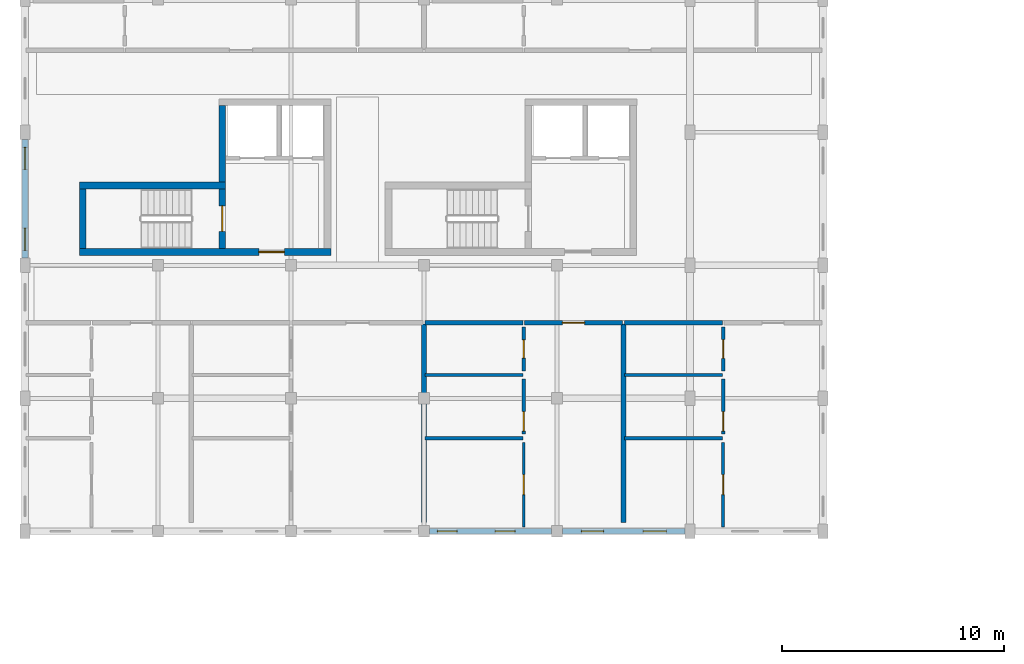
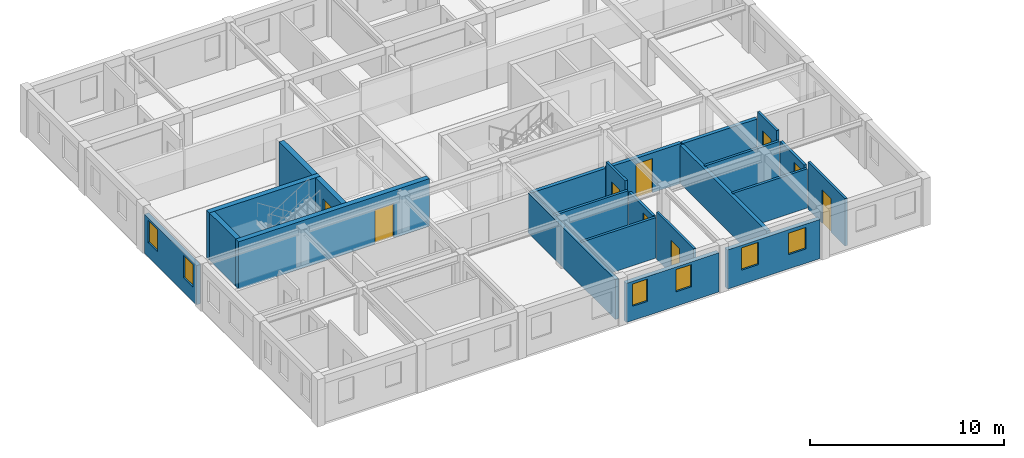
# One storey, part 5 of 23: 23 walls, 9 doors, 6 windows, 15 openings.
"""IFC4 building model written with IfcOpenShell, lengths in metres."""

from ifc_helpers import new_model, si_unit, direction, frame, frame_2d, origin, place, context, subcontext, project, spatial, rectangle, extrude, material, layer, layer_set, type_object, element, fill, save


model = new_model("IFC4")

# Units and contexts
model_context = context("Model", 3, precision=1e-05, world=origin(), true_north=direction((0.0, 1.0)))
body_context = subcontext(model_context, "Body", "Model", "MODEL_VIEW")
ifc_project = project(units=[si_unit("LENGTHUNIT", "METRE"), si_unit("AREAUNIT", "SQUARE_METRE"), si_unit("VOLUMEUNIT", "CUBIC_METRE"), si_unit("PLANEANGLEUNIT", "RADIAN"), si_unit("MASSUNIT", "GRAM", prefix="KILO"), si_unit("POWERUNIT", "WATT"), si_unit("THERMODYNAMICTEMPERATUREUNIT", "KELVIN")], contexts=[model_context])

# Site, building, storey
site_placement = place(None, origin())
site = spatial("IfcSite", under=ifc_project, at=site_placement, CompositionType="ELEMENT")
building_placement = place(site_placement, origin())
building = spatial("IfcBuilding", under=site, at=building_placement, Name="Ruvembo Vaulted Housing Court", CompositionType="ELEMENT")
storey_placement = place(building_placement, frame((0.0, 0.0, 26.89990234375)))
storey = spatial("IfcBuildingStorey", under=building, at=storey_placement, Name="L08", CompositionType="ELEMENT", Elevation=26.89990234375)

# Wall, opening, door
ifc_material_1 = material(Name="Concrete C35/45", Category="concrete")
ifc_layer_1 = layer(ifc_material_1, 0.300048828125, Name="Concrete C35/45")
ifc_layer_set_1 = layer_set([ifc_layer_1], Name="Concrete C35/45")
wall_type_1 = type_object("IfcWallType", Name="WL-CORE-300", PredefinedType="SHEAR", material=ifc_layer_set_1)
wall_1_placement = place(storey_placement, frame((2.449951171875, 18.60009765625, 0.0), z_axis=(0.0, 0.0, 1.0), x_axis=(1.0, 0.0, 0.0)))
wall_1 = element("IfcWall", 1, at=wall_1_placement, inside=storey, type_object=wall_type_1, Name="Core A1 L08 South Shear Wall", PredefinedType="SHEAR", context=body_context, shape_type="SweptSolid", body=[
    extrude(rectangle(XDim=11.35009765625, YDim=0.300048828125, at=frame_2d((5.675048828125, 0.0))), origin(), (0.0, 0.0, 1.0), 2.97998046875),
])
opening_1_placement = place(wall_1_placement, frame((8.10009765625, 0.0, 0.0)))
opening_1 = element("IfcOpeningElement", 2, at=opening_1_placement, cuts=wall_1, Name="Opening LD0", PredefinedType="OPENING", context=body_context, shape_type="SweptSolid", body=[
    extrude(rectangle(XDim=1.14990234375, YDim=2.14990234375, at=frame_2d((0.574951171875, 1.074951171875))), frame((0.0, 0.159912109375, 0.0), z_axis=(0.0, -1.0, 0.0), x_axis=(1.0, 0.0, 0.0)), (0.0, 0.0, 1.0), 0.320068359375),
])
ifc_material_2 = material(Name="Galvanised Painted Steel", Category="steel")
door_type_1 = type_object("IfcDoorType", Name="DR-LOB-1150x2150", OperationType="NOTDEFINED", PredefinedType="DOOR", material=ifc_material_2)
door_1_placement = place(opening_1_placement, origin())
door_1 = element("IfcDoor", 3, at=door_1_placement, inside=storey, type_object=door_type_1, Name="Core A1 L08 Lobby Fire Door", OperationType="SINGLE_SWING_RIGHT", OverallHeight=2.14990234375, OverallWidth=1.14990234375, PredefinedType="DOOR", context=body_context, shape_type="SweptSolid", body=[
    extrude(rectangle(XDim=1.14990234375, YDim=2.14990234375, at=frame_2d((0.574951171875, 1.074951171875))), frame((0.0, 0.02490234375, 0.0), z_axis=(0.0, -1.0, 0.0), x_axis=(1.0, 0.0, 0.0)), (0.0, 0.0, 1.0), 0.050048828125),
])
fill(opening_1, door_1)

# Walls
wall_2_placement = place(storey_placement, frame((9.050048828125, 21.60009765625, 0.0), z_axis=(0.0, 0.0, 1.0), x_axis=(-1.0, 0.0, 0.0)))
element("IfcWall", 4, at=wall_2_placement, inside=storey, type_object=wall_type_1, Name="Core A1 L08 Stair North Shear Wall", PredefinedType="SHEAR", context=body_context, shape_type="SweptSolid", body=[
    extrude(rectangle(XDim=6.60009765625, YDim=0.300048828125, at=frame_2d((3.300048828125, 0.0))), origin(), (0.0, 0.0, 1.0), 2.97998046875),
])
wall_3_placement = place(storey_placement, frame((2.60009765625, 21.449951171875, 0.0), z_axis=(0.0, 0.0, 1.0), x_axis=(0.0, -1.0, 0.0)))
element("IfcWall", 5, at=wall_3_placement, inside=storey, type_object=wall_type_1, Name="Core A1 L08 Stair West Shear Wall", PredefinedType="SHEAR", context=body_context, shape_type="SweptSolid", body=[
    extrude(rectangle(XDim=2.699951171875, YDim=0.300048828125, at=frame_2d((1.35009765625, 0.0))), origin(), (0.0, 0.0, 1.0), 2.97998046875),
])

# Wall, opening, door
wall_4_placement = place(storey_placement, frame((8.89990234375, 18.75, 0.0), z_axis=(0.0, 0.0, 1.0), x_axis=(0.0, 1.0, 0.0)))
wall_4 = element("IfcWall", 6, at=wall_4_placement, inside=storey, type_object=wall_type_1, Name="Core A1 L08 Stair-Lobby Shear Wall", PredefinedType="SHEAR", context=body_context, shape_type="SweptSolid", body=[
    extrude(rectangle(XDim=2.699951171875, YDim=0.300048828125, at=frame_2d((1.35009765625, 0.0))), origin(), (0.0, 0.0, 1.0), 2.97998046875),
])
opening_2_placement = place(wall_4_placement, frame((0.77490234375, 0.0, 0.0)))
opening_2 = element("IfcOpeningElement", 7, at=opening_2_placement, cuts=wall_4, Name="Opening SD1", PredefinedType="OPENING", context=body_context, shape_type="SweptSolid", body=[
    extrude(rectangle(XDim=1.14990234375, YDim=2.14990234375, at=frame_2d((0.574951171875, 1.074951171875))), frame((0.0, 0.159912109375, 0.0), z_axis=(0.0, -1.0, 0.0), x_axis=(1.0, 0.0, 0.0)), (0.0, 0.0, 1.0), 0.320068359375),
])
door_type_2 = type_object("IfcDoorType", Name="DR-STAIR-1150x2150", OperationType="NOTDEFINED", PredefinedType="DOOR", material=ifc_material_2)
door_2_placement = place(opening_2_placement, origin())
door_2 = element("IfcDoor", 8, at=door_2_placement, inside=storey, type_object=door_type_2, Name="Stair ST-A1 L08 Fire Door", OperationType="SINGLE_SWING_LEFT", OverallHeight=2.14990234375, OverallWidth=1.14990234375, PredefinedType="DOOR", context=body_context, shape_type="SweptSolid", body=[
    extrude(rectangle(XDim=1.14990234375, YDim=2.14990234375, at=frame_2d((0.574951171875, 1.074951171875))), frame((0.0, 0.02490234375, 0.0), z_axis=(0.0, -1.0, 0.0), x_axis=(1.0, 0.0, 0.0)), (0.0, 0.0, 1.0), 0.050048828125),
])
fill(opening_2, door_2)

# Walls
wall_5_placement = place(storey_placement, frame((8.89990234375, 21.75, 0.0), z_axis=(0.0, 0.0, 1.0), x_axis=(0.0, 1.0, 0.0)))
element("IfcWall", 9, at=wall_5_placement, inside=storey, type_object=wall_type_1, Name="Core A1 L08 Upper West Shear Wall", PredefinedType="SHEAR", context=body_context, shape_type="SweptSolid", body=[
    extrude(rectangle(XDim=3.449951171875, YDim=0.300048828125, at=frame_2d((1.72509765625, 0.0))), origin(), (0.0, 0.0, 1.0), 2.97998046875),
])
ifc_material_3 = material(Name="Concrete Blockwork 210", Category="masonry")
ifc_layer_2 = layer(ifc_material_3, 0.2099609375, Name="Concrete Blockwork 210")
ifc_layer_set_2 = layer_set([ifc_layer_2], Name="Concrete Blockwork 210")
wall_type_2 = type_object("IfcWallType", Name="WL-CORR-210", PredefinedType="SOLIDWALL", material=ifc_layer_set_2)
wall_6_placement = place(storey_placement, frame((18.0400390625, 15.39990234375, 0.0), z_axis=(0.0, 0.0, 1.0), x_axis=(1.0, 0.0, 0.0)))
element("IfcWall", 10, at=wall_6_placement, inside=storey, type_object=wall_type_2, Name="L08 Flat A-L08-S3 Corridor Wall WL-INT-L08-02034", PredefinedType="SOLIDWALL", context=body_context, shape_type="SweptSolid", body=[
    extrude(rectangle(XDim=4.419921875, YDim=0.2099609375, at=frame_2d((2.2099609375, 0.0))), origin(), (0.0, 0.0, 1.0), 2.508056640625),
])

# Wall, opening, door
wall_7_placement = place(storey_placement, frame((22.5400390625, 15.39990234375, 0.0), z_axis=(0.0, 0.0, 1.0), x_axis=(1.0, 0.0, 0.0)))
wall_7 = element("IfcWall", 11, at=wall_7_placement, inside=storey, type_object=wall_type_2, Name="L08 Flat A-L08-S3 Entrance WL-INT-L08-02035", PredefinedType="SOLIDWALL", context=body_context, shape_type="SweptSolid", body=[
    extrude(rectangle(XDim=4.419921875, YDim=0.2099609375, at=frame_2d((2.2099609375, 0.0))), origin(), (0.0, 0.0, 1.0), 2.508056640625),
])
opening_3_placement = place(wall_7_placement, frame((1.7099609375, 0.0, 0.0)))
opening_3 = element("IfcOpeningElement", 12, at=opening_3_placement, cuts=wall_7, Name="Opening FD1", PredefinedType="OPENING", context=body_context, shape_type="SweptSolid", body=[
    extrude(rectangle(XDim=1.0, YDim=2.14990234375, at=frame_2d((0.5, 1.074951171875))), frame((0.0, 0.114990234375, 0.0), z_axis=(0.0, -1.0, 0.0), x_axis=(1.0, 0.0, 0.0)), (0.0, 0.0, 1.0), 0.22998046875),
])
ifc_material_4 = material(Name="FSC Hardwood and Engineered Timber", Category="wood")
door_type_3 = type_object("IfcDoorType", Name="DR-FLAT-1000x2150", OperationType="NOTDEFINED", PredefinedType="DOOR", material=ifc_material_4)
door_3_placement = place(opening_3_placement, origin())
door_3 = element("IfcDoor", 13, at=door_3_placement, inside=storey, type_object=door_type_3, Name="L08 Flat A-L08-S3 Entrance Door DR-INT-L08-01137", OperationType="SINGLE_SWING_LEFT", OverallHeight=2.14990234375, OverallWidth=1.0, PredefinedType="DOOR", context=body_context, shape_type="SweptSolid", body=[
    extrude(rectangle(XDim=1.0, YDim=2.14990234375, at=frame_2d((0.5, 1.074951171875))), frame((0.0, 0.02490234375, 0.0), z_axis=(0.0, -1.0, 0.0), x_axis=(1.0, 0.0, 0.0)), (0.0, 0.0, 1.0), 0.050048828125),
])
fill(opening_3, door_3)

# Walls
wall_8_placement = place(storey_placement, frame((27.0400390625, 15.39990234375, 0.0), z_axis=(0.0, 0.0, 1.0), x_axis=(1.0, 0.0, 0.0)))
element("IfcWall", 14, at=wall_8_placement, inside=storey, type_object=wall_type_2, Name="L08 Flat A-L08-S4 Corridor Wall WL-INT-L08-02041", PredefinedType="SOLIDWALL", context=body_context, shape_type="SweptSolid", body=[
    extrude(rectangle(XDim=4.419921875, YDim=0.2099609375, at=frame_2d((2.2099609375, 0.0))), origin(), (0.0, 0.0, 1.0), 2.462158203125),
])
ifc_material_5 = material(Name="Acoustic Masonry Demising 220", Category="masonry")
ifc_layer_3 = layer(ifc_material_5, 0.219970703125, Name="Acoustic Masonry Demising 220")
ifc_layer_set_3 = layer_set([ifc_layer_3], Name="Acoustic Masonry Demising 220")
wall_type_3 = type_object("IfcWallType", Name="WL-DEM-200", PredefinedType="SOLIDWALL", material=ifc_layer_set_3)
wall_9_placement = place(storey_placement, frame((18.0, 6.389892578125, 0.0), z_axis=(0.0, 0.0, 1.0), x_axis=(0.0, 1.0, 0.0)))
element("IfcWall", 15, at=wall_9_placement, inside=storey, type_object=wall_type_3, Name="L08 Demising A-L08-S2 WL-INT-L08-02025", PredefinedType="SOLIDWALL", context=body_context, shape_type="SweptSolid", body=[
    extrude(rectangle(XDim=8.97021484375, YDim=0.219970703125, at=frame_2d((4.485107421875, 0.0))), origin(), (0.0, 0.0, 1.0), 2.508056640625),
])
wall_10_placement = place(storey_placement, frame((27.0, 6.389892578125, 0.0), z_axis=(0.0, 0.0, 1.0), x_axis=(0.0, 1.0, 0.0)))
element("IfcWall", 16, at=wall_10_placement, inside=storey, type_object=wall_type_3, Name="L08 Demising A-L08-S3 WL-INT-L08-02033", PredefinedType="SOLIDWALL", context=body_context, shape_type="SweptSolid", body=[
    extrude(rectangle(XDim=8.97021484375, YDim=0.219970703125, at=frame_2d((4.485107421875, 0.0))), origin(), (0.0, 0.0, 1.0), 2.408203125),
])

# Wall, openings, windows
ifc_material_6 = material(Name="Rendered Masonry 260", Category="masonry")
ifc_layer_4 = layer(ifc_material_6, 0.260009765625, Name="Rendered Masonry 260")
ifc_layer_set_4 = layer_set([ifc_layer_4], Name="Rendered Masonry 260")
wall_type_4 = type_object("IfcWallType", Name="WL-EXT-260", PredefinedType="STANDARD", material=ifc_layer_set_4)
wall_11_placement = place(storey_placement, frame((18.25, 6.0, 0.0), z_axis=(0.0, 0.0, 1.0), x_axis=(1.0, 0.0, 0.0)))
wall_11 = element("IfcWall", 17, at=wall_11_placement, inside=storey, type_object=wall_type_4, Name="Block A L08 Exterior Wall STREET #4", PredefinedType="STANDARD", context=body_context, shape_type="SweptSolid", body=[
    extrude(rectangle(XDim=5.5, YDim=0.260009765625, at=frame_2d((2.75, 0.0))), origin(), (0.0, 0.0, 1.0), 2.462158203125),
])
opening_4_placement = place(wall_11_placement, frame((0.35009765625, 0.0, 0.89990234375)))
opening_4 = element("IfcOpeningElement", 18, at=opening_4_placement, cuts=wall_11, Name="Opening W05", PredefinedType="OPENING", context=body_context, shape_type="SweptSolid", body=[
    extrude(rectangle(XDim=0.89990234375, YDim=1.39990234375, at=frame_2d((0.449951171875, 0.699951171875))), frame((0.0, 0.139892578125, 0.0), z_axis=(0.0, -1.0, 0.0), x_axis=(1.0, 0.0, 0.0)), (0.0, 0.0, 1.0), 0.280029296875),
])
opening_5_placement = place(wall_11_placement, frame((2.9599609375, 0.0, 0.89990234375)))
opening_5 = element("IfcOpeningElement", 19, at=opening_5_placement, cuts=wall_11, Name="Opening W05", PredefinedType="OPENING", context=body_context, shape_type="SweptSolid", body=[
    extrude(rectangle(XDim=0.89990234375, YDim=1.39990234375, at=frame_2d((0.449951171875, 0.699951171875))), frame((0.0, 0.139892578125, 0.0), z_axis=(0.0, -1.0, 0.0), x_axis=(1.0, 0.0, 0.0)), (0.0, 0.0, 1.0), 0.280029296875),
])
ifc_material_7 = material(Name="Double Solar-Control Glazing in Aluminium Frame", Category="aluminium")
window_type_1 = type_object("IfcWindowType", Name="WIN-0900x1400", PartitioningType="SINGLE_PANEL", PredefinedType="WINDOW", material=ifc_material_7)
window_1_placement = place(opening_4_placement, origin())
window_1 = element("IfcWindow", 20, at=window_1_placement, inside=storey, type_object=window_type_1, Name="Block A L08 Window #348", OverallHeight=1.39990234375, OverallWidth=0.89990234375, PartitioningType="SINGLE_PANEL", PredefinedType="WINDOW", context=body_context, shape_type="SweptSolid", body=[
    extrude(rectangle(XDim=0.89990234375, YDim=1.39990234375, at=frame_2d((0.449951171875, 0.699951171875))), frame((0.0, 0.030029296875, 0.0), z_axis=(0.0, -1.0, 0.0), x_axis=(1.0, 0.0, 0.0)), (0.0, 0.0, 1.0), 0.06005859375),
])
fill(opening_4, window_1)
window_2_placement = place(opening_5_placement, origin())
window_2 = element("IfcWindow", 21, at=window_2_placement, inside=storey, type_object=window_type_1, Name="Block A L08 Window #349", OverallHeight=1.39990234375, OverallWidth=0.89990234375, PartitioningType="SINGLE_PANEL", PredefinedType="WINDOW", context=body_context, shape_type="SweptSolid", body=[
    extrude(rectangle(XDim=0.89990234375, YDim=1.39990234375, at=frame_2d((0.449951171875, 0.699951171875))), frame((0.0, 0.030029296875, 0.0), z_axis=(0.0, -1.0, 0.0), x_axis=(1.0, 0.0, 0.0)), (0.0, 0.0, 1.0), 0.06005859375),
])
fill(opening_5, window_2)

wall_12_placement = place(storey_placement, frame((24.25, 6.0, 0.0), z_axis=(0.0, 0.0, 1.0), x_axis=(1.0, 0.0, 0.0)))
wall_12 = element("IfcWall", 22, at=wall_12_placement, inside=storey, type_object=wall_type_4, Name="Block A L08 Exterior Wall STREET #5", PredefinedType="STANDARD", context=body_context, shape_type="SweptSolid", body=[
    extrude(rectangle(XDim=5.52490234375, YDim=0.260009765625, at=frame_2d((2.762451171875, 0.0))), origin(), (0.0, 0.0, 1.0), 2.462158203125),
])
opening_6_placement = place(wall_12_placement, frame((0.85498046875, 0.0, 0.89990234375)))
opening_6 = element("IfcOpeningElement", 23, at=opening_6_placement, cuts=wall_12, Name="Opening W08", PredefinedType="OPENING", context=body_context, shape_type="SweptSolid", body=[
    extrude(rectangle(XDim=1.0, YDim=1.39990234375, at=frame_2d((0.5, 0.699951171875))), frame((0.0, 0.139892578125, 0.0), z_axis=(0.0, -1.0, 0.0), x_axis=(1.0, 0.0, 0.0)), (0.0, 0.0, 1.0), 0.280029296875),
])
opening_7_placement = place(wall_12_placement, frame((3.632568359375, 0.0, 0.89990234375)))
opening_7 = element("IfcOpeningElement", 24, at=opening_7_placement, cuts=wall_12, Name="Opening W09", PredefinedType="OPENING", context=body_context, shape_type="SweptSolid", body=[
    extrude(rectangle(XDim=1.050048828125, YDim=1.35009765625, at=frame_2d((0.52490234375, 0.675048828125))), frame((0.0, 0.139892578125, 0.0), z_axis=(0.0, -1.0, 0.0), x_axis=(1.0, 0.0, 0.0)), (0.0, 0.0, 1.0), 0.280029296875),
])
window_type_2 = type_object("IfcWindowType", Name="WIN-1000x1400", PartitioningType="SINGLE_PANEL", PredefinedType="WINDOW", material=ifc_material_7)
window_3_placement = place(opening_6_placement, origin())
window_3 = element("IfcWindow", 25, at=window_3_placement, inside=storey, type_object=window_type_2, Name="Block A L08 Window #350", OverallHeight=1.39990234375, OverallWidth=1.0, PartitioningType="SINGLE_PANEL", PredefinedType="WINDOW", context=body_context, shape_type="SweptSolid", body=[
    extrude(rectangle(XDim=1.0, YDim=1.39990234375, at=frame_2d((0.5, 0.699951171875))), frame((0.0, 0.030029296875, 0.0), z_axis=(0.0, -1.0, 0.0), x_axis=(1.0, 0.0, 0.0)), (0.0, 0.0, 1.0), 0.06005859375),
])
fill(opening_6, window_3)
window_type_3 = type_object("IfcWindowType", Name="WIN-1050x1350", PartitioningType="SINGLE_PANEL", PredefinedType="WINDOW", material=ifc_material_7)
window_4_placement = place(opening_7_placement, origin())
window_4 = element("IfcWindow", 26, at=window_4_placement, inside=storey, type_object=window_type_3, Name="Block A L08 Window #351", OverallHeight=1.35009765625, OverallWidth=1.050048828125, PartitioningType="SINGLE_PANEL", PredefinedType="WINDOW", context=body_context, shape_type="SweptSolid", body=[
    extrude(rectangle(XDim=1.050048828125, YDim=1.35009765625, at=frame_2d((0.52490234375, 0.675048828125))), frame((0.0, 0.030029296875, 0.0), z_axis=(0.0, -1.0, 0.0), x_axis=(1.0, 0.0, 0.0)), (0.0, 0.0, 1.0), 0.06005859375),
])
fill(opening_7, window_4)

wall_13_placement = place(storey_placement, frame((0.0, 23.675048828125, 0.0), z_axis=(0.0, 0.0, 1.0), x_axis=(0.0, -1.0, 0.0)))
wall_13 = element("IfcWall", 27, at=wall_13_placement, inside=storey, type_object=wall_type_4, Name="Block A L08 Exterior Wall WEST #3", PredefinedType="STANDARD", context=body_context, shape_type="SweptSolid", body=[
    extrude(rectangle(XDim=5.35009765625, YDim=0.260009765625, at=frame_2d((2.675048828125, 0.0))), origin(), (0.0, 0.0, 1.0), 2.462158203125),
])
opening_8_placement = place(wall_13_placement, frame((0.35009765625, 0.0, 0.89990234375)))
opening_8 = element("IfcOpeningElement", 28, at=opening_8_placement, cuts=wall_13, Name="Opening W08", PredefinedType="OPENING", context=body_context, shape_type="SweptSolid", body=[
    extrude(rectangle(XDim=1.0, YDim=1.39990234375, at=frame_2d((0.5, 0.699951171875))), frame((0.0, 0.139892578125, 0.0), z_axis=(0.0, -1.0, 0.0), x_axis=(1.0, 0.0, 0.0)), (0.0, 0.0, 1.0), 0.280029296875),
])
opening_9_placement = place(wall_13_placement, frame((4.0, 0.0, 0.89990234375)))
opening_9 = element("IfcOpeningElement", 29, at=opening_9_placement, cuts=wall_13, Name="Opening W08", PredefinedType="OPENING", context=body_context, shape_type="SweptSolid", body=[
    extrude(rectangle(XDim=1.0, YDim=1.39990234375, at=frame_2d((0.5, 0.699951171875))), frame((0.0, 0.139892578125, 0.0), z_axis=(0.0, -1.0, 0.0), x_axis=(1.0, 0.0, 0.0)), (0.0, 0.0, 1.0), 0.280029296875),
])
window_5_placement = place(opening_8_placement, origin())
window_5 = element("IfcWindow", 30, at=window_5_placement, inside=storey, type_object=window_type_2, Name="Block A L08 Window #380", OverallHeight=1.39990234375, OverallWidth=1.0, PartitioningType="SINGLE_PANEL", PredefinedType="WINDOW", context=body_context, shape_type="SweptSolid", body=[
    extrude(rectangle(XDim=1.0, YDim=1.39990234375, at=frame_2d((0.5, 0.699951171875))), frame((0.0, 0.030029296875, 0.0), z_axis=(0.0, -1.0, 0.0), x_axis=(1.0, 0.0, 0.0)), (0.0, 0.0, 1.0), 0.06005859375),
])
fill(opening_8, window_5)
window_6_placement = place(opening_9_placement, origin())
window_6 = element("IfcWindow", 31, at=window_6_placement, inside=storey, type_object=window_type_2, Name="Block A L08 Window #381", OverallHeight=1.39990234375, OverallWidth=1.0, PartitioningType="SINGLE_PANEL", PredefinedType="WINDOW", context=body_context, shape_type="SweptSolid", body=[
    extrude(rectangle(XDim=1.0, YDim=1.39990234375, at=frame_2d((0.5, 0.699951171875))), frame((0.0, 0.030029296875, 0.0), z_axis=(0.0, -1.0, 0.0), x_axis=(1.0, 0.0, 0.0)), (0.0, 0.0, 1.0), 0.06005859375),
])
fill(opening_9, window_6)

# Wall, opening, door
ifc_material_8 = material(Name="Plasterboard Stud Partition 125", Category="gypsum")
ifc_layer_5 = layer(ifc_material_8, 0.125, Name="Plasterboard Stud Partition 125")
ifc_layer_set_5 = layer_set([ifc_layer_5], Name="Plasterboard Stud Partition 125")
wall_type_5 = type_object("IfcWallType", Name="WL-PART-125", PredefinedType="PARTITIONING", material=ifc_layer_set_5)
wall_14_placement = place(storey_placement, frame((22.5, 6.18994140625, 0.0), z_axis=(0.0, 0.0, 1.0), x_axis=(0.0, 1.0, 0.0)))
wall_14 = element("IfcWall", 32, at=wall_14_placement, inside=storey, type_object=wall_type_5, Name="L08 Flat A-L08-S3 Bedroom 1 WL-INT-L08-02036", PredefinedType="PARTITIONING", context=body_context, shape_type="SweptSolid", body=[
    extrude(rectangle(XDim=3.820068359375, YDim=0.125, at=frame_2d((1.91015625, 0.0))), origin(), (0.0, 0.0, 1.0), 2.97998046875),
])
opening_10_placement = place(wall_14_placement, frame((1.4599609375, 0.0, 0.0)))
opening_10 = element("IfcOpeningElement", 33, at=opening_10_placement, cuts=wall_14, Name="Opening ID1", PredefinedType="OPENING", context=body_context, shape_type="SweptSolid", body=[
    extrude(rectangle(XDim=0.89990234375, YDim=2.10009765625, at=frame_2d((0.449951171875, 1.050048828125))), frame((0.0, 0.072509765625, 0.0), z_axis=(0.0, -1.0, 0.0), x_axis=(1.0, 0.0, 0.0)), (0.0, 0.0, 1.0), 0.14501953125),
])
door_type_4 = type_object("IfcDoorType", Name="DR-ROOM-0900x2100", OperationType="NOTDEFINED", PredefinedType="DOOR", material=ifc_material_4)
door_4_placement = place(opening_10_placement, origin())
door_4 = element("IfcDoor", 34, at=door_4_placement, inside=storey, type_object=door_type_4, Name="L08 Flat A-L08-S3 Bedroom 1 Door DR-INT-L08-01138", OperationType="SINGLE_SWING_RIGHT", OverallHeight=2.10009765625, OverallWidth=0.89990234375, PredefinedType="DOOR", context=body_context, shape_type="SweptSolid", body=[
    extrude(rectangle(XDim=0.89990234375, YDim=2.10009765625, at=frame_2d((0.449951171875, 1.050048828125))), frame((0.0, 0.02490234375, 0.0), z_axis=(0.0, -1.0, 0.0), x_axis=(1.0, 0.0, 0.0)), (0.0, 0.0, 1.0), 0.050048828125),
])
fill(opening_10, door_4)

ifc_material_9 = material(Name="Acoustic Stud Partition 135", Category="gypsum")
ifc_layer_6 = layer(ifc_material_9, 0.135009765625, Name="Acoustic Stud Partition 135")
ifc_layer_set_6 = layer_set([ifc_layer_6], Name="Acoustic Stud Partition 135")
wall_type_6 = type_object("IfcWallType", Name="WL-PART-135", PredefinedType="PARTITIONING", material=ifc_layer_set_6)
wall_15_placement = place(storey_placement, frame((31.5, 6.18994140625, 0.0), z_axis=(0.0, 0.0, 1.0), x_axis=(0.0, 1.0, 0.0)))
wall_15 = element("IfcWall", 35, at=wall_15_placement, inside=storey, type_object=wall_type_6, Name="L08 Flat A-L08-S4 Bedroom 1 WL-INT-L08-02043", PredefinedType="PARTITIONING", context=body_context, shape_type="SweptSolid", body=[
    extrude(rectangle(XDim=3.820068359375, YDim=0.135009765625, at=frame_2d((1.91015625, 0.0))), origin(), (0.0, 0.0, 1.0), 2.97998046875),
])
opening_11_placement = place(wall_15_placement, frame((1.4599609375, 0.0, 0.0)))
opening_11 = element("IfcOpeningElement", 36, at=opening_11_placement, cuts=wall_15, Name="Opening ID1", PredefinedType="OPENING", context=body_context, shape_type="SweptSolid", body=[
    extrude(rectangle(XDim=0.89990234375, YDim=2.10009765625, at=frame_2d((0.449951171875, 1.050048828125))), frame((0.0, 0.077392578125, 0.0), z_axis=(0.0, -1.0, 0.0), x_axis=(1.0, 0.0, 0.0)), (0.0, 0.0, 1.0), 0.155029296875),
])
door_5_placement = place(opening_11_placement, origin())
door_5 = element("IfcDoor", 37, at=door_5_placement, inside=storey, type_object=door_type_4, Name="L08 Flat A-L08-S4 Bedroom 1 Door DR-INT-L08-01142", OperationType="SINGLE_SWING_RIGHT", OverallHeight=2.10009765625, OverallWidth=0.89990234375, PredefinedType="DOOR", context=body_context, shape_type="SweptSolid", body=[
    extrude(rectangle(XDim=0.89990234375, YDim=2.10009765625, at=frame_2d((0.449951171875, 1.050048828125))), frame((0.0, 0.02490234375, 0.0), z_axis=(0.0, -1.0, 0.0), x_axis=(1.0, 0.0, 0.0)), (0.0, 0.0, 1.0), 0.050048828125),
])
fill(opening_11, door_5)

ifc_material_10 = material(Name="Moisture-Resistant Wet Partition 150", Category="gypsum")
ifc_layer_7 = layer(ifc_material_10, 0.14990234375, Name="Moisture-Resistant Wet Partition 150")
ifc_layer_set_7 = layer_set([ifc_layer_7], Name="Moisture-Resistant Wet Partition 150")
wall_type_7 = type_object("IfcWallType", Name="WL-PART-150", PredefinedType="PARTITIONING", material=ifc_layer_set_7)
wall_16_placement = place(storey_placement, frame((22.5, 13.239990234375, 0.0), z_axis=(0.0, 0.0, 1.0), x_axis=(0.0, 1.0, 0.0)))
wall_16 = element("IfcWall", 38, at=wall_16_placement, inside=storey, type_object=wall_type_7, Name="L08 Flat A-L08-S3 Bathroom WL-INT-L08-02038", PredefinedType="PARTITIONING", context=body_context, shape_type="SweptSolid", body=[
    extrude(rectangle(XDim=1.969970703125, YDim=0.14990234375, at=frame_2d((0.98486328125, 0.0))), origin(), (0.0, 0.0, 1.0), 2.97998046875),
])
opening_12_placement = place(wall_16_placement, frame((0.574951171875, 0.0, 0.0)))
opening_12 = element("IfcOpeningElement", 39, at=opening_12_placement, cuts=wall_16, Name="Opening ID4", PredefinedType="OPENING", context=body_context, shape_type="SweptSolid", body=[
    extrude(rectangle(XDim=0.820068359375, YDim=2.080078125, at=frame_2d((0.41015625, 1.0400390625))), frame((0.0, 0.0849609375, 0.0), z_axis=(0.0, -1.0, 0.0), x_axis=(1.0, 0.0, 0.0)), (0.0, 0.0, 1.0), 0.169921875),
])
door_type_5 = type_object("IfcDoorType", Name="DR-WET-0820x2080", OperationType="NOTDEFINED", PredefinedType="DOOR", material=ifc_material_4)
door_6_placement = place(opening_12_placement, origin())
door_6 = element("IfcDoor", 40, at=door_6_placement, inside=storey, type_object=door_type_5, Name="L08 Flat A-L08-S3 Bathroom Door DR-INT-L08-01140", OperationType="SINGLE_SWING_RIGHT", OverallHeight=2.080078125, OverallWidth=0.820068359375, PredefinedType="DOOR", context=body_context, shape_type="SweptSolid", body=[
    extrude(rectangle(XDim=0.820068359375, YDim=2.080078125, at=frame_2d((0.41015625, 1.0400390625))), frame((0.0, 0.02490234375, 0.0), z_axis=(0.0, -1.0, 0.0), x_axis=(1.0, 0.0, 0.0)), (0.0, 0.0, 1.0), 0.050048828125),
])
fill(opening_12, door_6)

# Walls
wall_17_placement = place(storey_placement, frame((18.0400390625, 10.199951171875, 0.0), z_axis=(0.0, 0.0, 1.0), x_axis=(1.0, 0.0, 0.0)))
element("IfcWall", 41, at=wall_17_placement, inside=storey, type_object=wall_type_7, Name="L08 Flat A-L08-S3 Wet Wall 1 WL-INT-L08-02039", PredefinedType="PARTITIONING", context=body_context, shape_type="SweptSolid", body=[
    extrude(rectangle(XDim=4.419921875, YDim=0.14990234375, at=frame_2d((2.2099609375, 0.0))), origin(), (0.0, 0.0, 1.0), 2.548095703125),
])
wall_18_placement = place(storey_placement, frame((18.0400390625, 13.050048828125, 0.0), z_axis=(0.0, 0.0, 1.0), x_axis=(1.0, 0.0, 0.0)))
element("IfcWall", 42, at=wall_18_placement, inside=storey, type_object=wall_type_7, Name="L08 Flat A-L08-S3 Wet Wall 2 WL-INT-L08-02040", PredefinedType="PARTITIONING", context=body_context, shape_type="SweptSolid", body=[
    extrude(rectangle(XDim=4.419921875, YDim=0.14990234375, at=frame_2d((2.2099609375, 0.0))), origin(), (0.0, 0.0, 1.0), 2.508056640625),
])

# Wall, opening, door
wall_19_placement = place(storey_placement, frame((31.5, 13.239990234375, 0.0), z_axis=(0.0, 0.0, 1.0), x_axis=(0.0, 1.0, 0.0)))
wall_19 = element("IfcWall", 43, at=wall_19_placement, inside=storey, type_object=wall_type_7, Name="L08 Flat A-L08-S4 Bathroom WL-INT-L08-02045", PredefinedType="PARTITIONING", context=body_context, shape_type="SweptSolid", body=[
    extrude(rectangle(XDim=1.969970703125, YDim=0.14990234375, at=frame_2d((0.98486328125, 0.0))), origin(), (0.0, 0.0, 1.0), 2.97998046875),
])
opening_13_placement = place(wall_19_placement, frame((0.56005859375, 0.0, 0.0)))
opening_13 = element("IfcOpeningElement", 44, at=opening_13_placement, cuts=wall_19, Name="Opening ID2", PredefinedType="OPENING", context=body_context, shape_type="SweptSolid", body=[
    extrude(rectangle(XDim=0.85009765625, YDim=2.10009765625, at=frame_2d((0.425048828125, 1.050048828125))), frame((0.0, 0.0849609375, 0.0), z_axis=(0.0, -1.0, 0.0), x_axis=(1.0, 0.0, 0.0)), (0.0, 0.0, 1.0), 0.169921875),
])
door_type_6 = type_object("IfcDoorType", Name="DR-WET-0850x2100", OperationType="NOTDEFINED", PredefinedType="DOOR", material=ifc_material_4)
door_7_placement = place(opening_13_placement, origin())
door_7 = element("IfcDoor", 45, at=door_7_placement, inside=storey, type_object=door_type_6, Name="L08 Flat A-L08-S4 Bathroom Door DR-INT-L08-01144", OperationType="SINGLE_SWING_RIGHT", OverallHeight=2.10009765625, OverallWidth=0.85009765625, PredefinedType="DOOR", context=body_context, shape_type="SweptSolid", body=[
    extrude(rectangle(XDim=0.85009765625, YDim=2.10009765625, at=frame_2d((0.425048828125, 1.050048828125))), frame((0.0, 0.02490234375, 0.0), z_axis=(0.0, -1.0, 0.0), x_axis=(1.0, 0.0, 0.0)), (0.0, 0.0, 1.0), 0.050048828125),
])
fill(opening_13, door_7)

# Walls
for number, where, z_axis, x_axis, name in (
    (46, (27.0400390625, 10.199951171875, 0.0), (0.0, 0.0, 1.0), (1.0, 0.0, 0.0), "L08 Flat A-L08-S4 Wet Wall 1 WL-INT-L08-02046"),
    (47, (27.0400390625, 13.050048828125, 0.0), (0.0, 0.0, 1.0), (1.0, 0.0, 0.0), "L08 Flat A-L08-S4 Wet Wall 2 WL-INT-L08-02047"),
):
    element("IfcWall", number, at=place(storey_placement, frame(where, z_axis=z_axis, x_axis=x_axis)), inside=storey, type_object=wall_type_7, Name=name, PredefinedType="PARTITIONING", context=body_context, shape_type="SweptSolid", body=[
        extrude(rectangle(XDim=4.419921875, YDim=0.14990234375, at=frame_2d((2.2099609375, 0.0))), origin(), (0.0, 0.0, 1.0), 2.462158203125),
    ])

# Wall, opening, door
ifc_material_11 = material(Name="Acoustic Service Chase Wall 160", Category="gypsum")
ifc_layer_8 = layer(ifc_material_11, 0.159912109375, Name="Acoustic Service Chase Wall 160")
ifc_layer_set_8 = layer_set([ifc_layer_8], Name="Acoustic Service Chase Wall 160")
wall_type_8 = type_object("IfcWallType", Name="WL-PLUMB-160", PredefinedType="PLUMBINGWALL", material=ifc_layer_set_8)
wall_20_placement = place(storey_placement, frame((22.5, 10.389892578125, 0.0), z_axis=(0.0, 0.0, 1.0), x_axis=(0.0, 1.0, 0.0)))
wall_20 = element("IfcWall", 48, at=wall_20_placement, inside=storey, type_object=wall_type_8, Name="L08 Flat A-L08-S3 Kitchen WL-INT-L08-02037", PredefinedType="PLUMBINGWALL", context=body_context, shape_type="SweptSolid", body=[
    extrude(rectangle(XDim=2.47021484375, YDim=0.159912109375, at=frame_2d((1.235107421875, 0.0))), origin(), (0.0, 0.0, 1.0), 2.508056640625),
])
opening_14_placement = place(wall_20_placement, frame((0.1298828125, 0.0, 0.0)))
opening_14 = element("IfcOpeningElement", 49, at=opening_14_placement, cuts=wall_20, Name="Opening ID3", PredefinedType="OPENING", context=body_context, shape_type="SweptSolid", body=[
    extrude(rectangle(XDim=0.8798828125, YDim=2.10009765625, at=frame_2d((0.43994140625, 1.050048828125))), frame((0.0, 0.08984375, 0.0), z_axis=(0.0, -1.0, 0.0), x_axis=(1.0, 0.0, 0.0)), (0.0, 0.0, 1.0), 0.179931640625),
])
door_type_7 = type_object("IfcDoorType", Name="DR-ROOM-0880x2100", OperationType="NOTDEFINED", PredefinedType="DOOR", material=ifc_material_4)
door_8_placement = place(opening_14_placement, origin())
door_8 = element("IfcDoor", 50, at=door_8_placement, inside=storey, type_object=door_type_7, Name="L08 Flat A-L08-S3 Kitchen Door DR-INT-L08-01139", OperationType="SINGLE_SWING_LEFT", OverallHeight=2.10009765625, OverallWidth=0.8798828125, PredefinedType="DOOR", context=body_context, shape_type="SweptSolid", body=[
    extrude(rectangle(XDim=0.8798828125, YDim=2.10009765625, at=frame_2d((0.43994140625, 1.050048828125))), frame((0.0, 0.02490234375, 0.0), z_axis=(0.0, -1.0, 0.0), x_axis=(1.0, 0.0, 0.0)), (0.0, 0.0, 1.0), 0.050048828125),
])
fill(opening_14, door_8)

wall_21_placement = place(storey_placement, frame((31.5, 10.389892578125, 0.0), z_axis=(0.0, 0.0, 1.0), x_axis=(0.0, 1.0, 0.0)))
wall_21 = element("IfcWall", 51, at=wall_21_placement, inside=storey, type_object=wall_type_8, Name="L08 Flat A-L08-S4 Kitchen WL-INT-L08-02044", PredefinedType="PLUMBINGWALL", context=body_context, shape_type="SweptSolid", body=[
    extrude(rectangle(XDim=2.47021484375, YDim=0.159912109375, at=frame_2d((1.235107421875, 0.0))), origin(), (0.0, 0.0, 1.0), 2.548095703125),
])
opening_15_placement = place(wall_21_placement, frame((0.1298828125, 0.0, 0.0)))
opening_15 = element("IfcOpeningElement", 52, at=opening_15_placement, cuts=wall_21, Name="Opening ID3", PredefinedType="OPENING", context=body_context, shape_type="SweptSolid", body=[
    extrude(rectangle(XDim=0.8798828125, YDim=2.10009765625, at=frame_2d((0.43994140625, 1.050048828125))), frame((0.0, 0.08984375, 0.0), z_axis=(0.0, -1.0, 0.0), x_axis=(1.0, 0.0, 0.0)), (0.0, 0.0, 1.0), 0.179931640625),
])
door_9_placement = place(opening_15_placement, origin())
door_9 = element("IfcDoor", 53, at=door_9_placement, inside=storey, type_object=door_type_7, Name="L08 Flat A-L08-S4 Kitchen Door DR-INT-L08-01143", OperationType="SINGLE_SWING_LEFT", OverallHeight=2.10009765625, OverallWidth=0.8798828125, PredefinedType="DOOR", context=body_context, shape_type="SweptSolid", body=[
    extrude(rectangle(XDim=0.8798828125, YDim=2.10009765625, at=frame_2d((0.43994140625, 1.050048828125))), frame((0.0, 0.02490234375, 0.0), z_axis=(0.0, -1.0, 0.0), x_axis=(1.0, 0.0, 0.0)), (0.0, 0.0, 1.0), 0.050048828125),
])
fill(opening_15, door_9)

save(model, "model.ifc")
